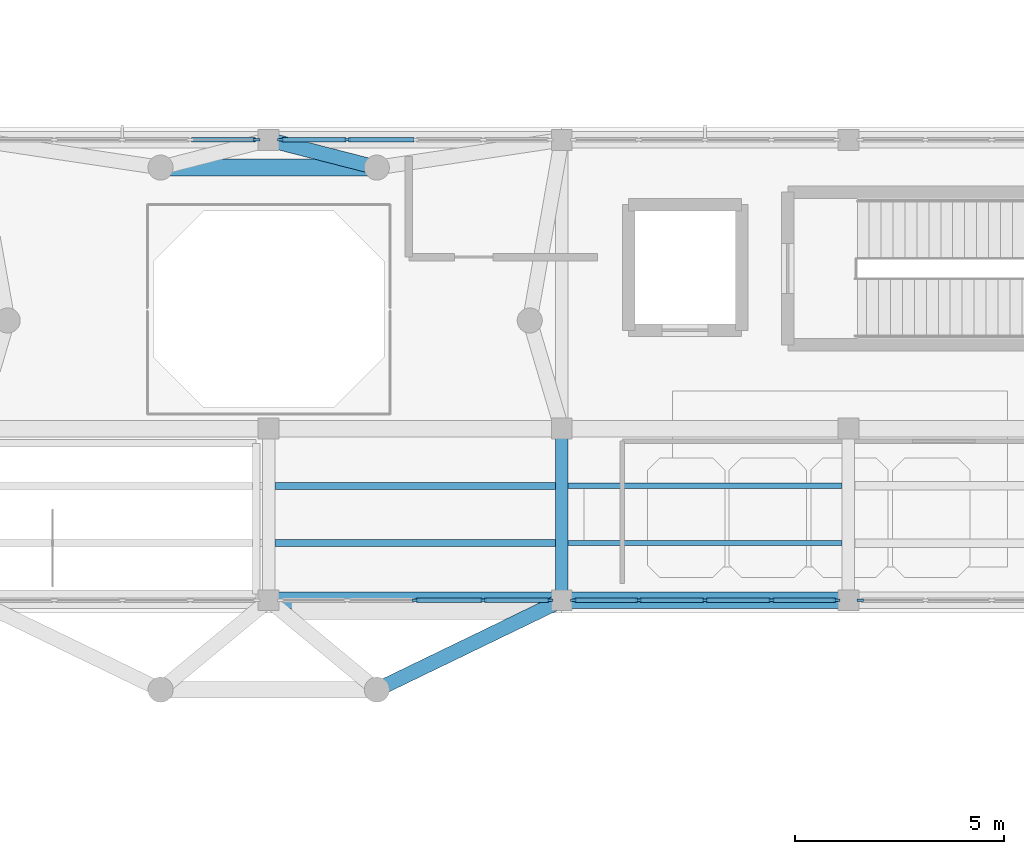
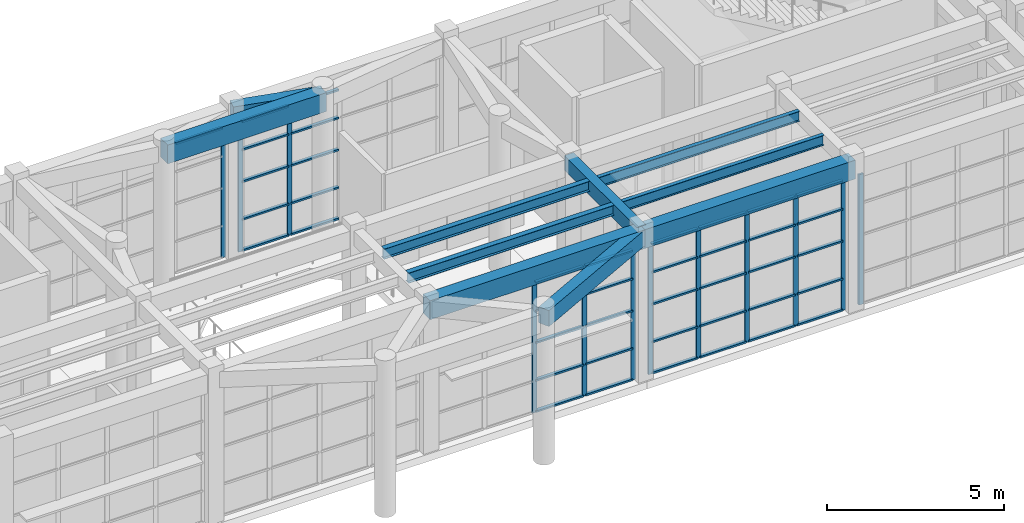
# One storey, part 18 of 103: 53 members, 10 beams, 5 elements without a shape of their own.
"""IFC4 building model written with IfcOpenShell, lengths in metres."""

from ifc_helpers import new_model, si_unit, direction, frame, origin, origin_2d, place, context, subcontext, project, spatial, rectangle, i_section, extrude, material, layer, layer_set, material_profile, profile_set, type_object, element, aggregate, save


model = new_model("IFC4")

# Units and contexts
model_context = context("Model", 3, precision=1e-05, world=origin(), true_north=direction((0.0, 1.0)))
body_context = subcontext(model_context, "Body", "Model", "MODEL_VIEW")
ifc_project = project(units=[si_unit("LENGTHUNIT", "METRE"), si_unit("AREAUNIT", "SQUARE_METRE"), si_unit("VOLUMEUNIT", "CUBIC_METRE"), si_unit("PLANEANGLEUNIT", "RADIAN"), si_unit("MASSUNIT", "GRAM", prefix="KILO")], contexts=[model_context])

# Site, building, storey
site_placement = place(None, origin())
site = spatial("IfcSite", under=ifc_project, at=site_placement, CompositionType="ELEMENT")
building_placement = place(site_placement, origin())
building = spatial("IfcBuilding", under=site, at=building_placement, Name="Candilejo Ridge Gondola Terminal", CompositionType="ELEMENT")
storey_placement = place(building_placement, frame((0.0, 0.0, 9.0)))
storey = spatial("IfcBuildingStorey", under=building, at=storey_placement, Name="L02", CompositionType="ELEMENT", Elevation=9.0)

# Curtain wall, member
ifc_material_1 = material(Name="Anodised aluminium AA 6063-T6", Category="aluminium")
ifc_layer_1 = layer(ifc_material_1, 0.169921875)
ifc_layer_set_1 = layer_set([ifc_layer_1], Name="ARC-CW-DRUM-3400-650X449")
curtain_wall_type_1 = type_object("IfcCurtainWallType", Name="ARC-CW-DRUM-3400-650X449", PredefinedType="NOTDEFINED", material=ifc_layer_set_1)
curtain_wall_1_placement = place(storey_placement, origin())
curtain_wall_1 = element("IfcCurtainWall", 1, at=curtain_wall_1_placement, inside=storey, type_object=curtain_wall_type_1, Name="Curtain wall V2 L02-050", PredefinedType="NOTDEFINED")
ifc_material_2 = material(Name="Anodised aluminium AA 6063-T6", Category="aluminium")
ifc_material_profile_1 = material_profile(ifc_material_2, rectangle(XDim=0.06494140625, YDim=0.14990234375, at=origin_2d()))
ifc_profile_set_1 = profile_set([ifc_material_profile_1], Name="Anodised aluminium AA 6063-T6")
member_type_1 = type_object("IfcMemberType", Name="ARC-CW-MULLION-150", PredefinedType="MULLION", material=ifc_profile_set_1)
member_1_placement = place(storey_placement, frame((65.0673828125, 36.699951171875, 0.0), z_axis=(0.0, 0.0, 1.0), x_axis=(0.0, 1.0, 0.0)))
member_1 = element("IfcMember", 2, at=member_1_placement, type_object=member_type_1, Name="CW-65X44 mullion 5", PredefinedType="MULLION", context=body_context, shape_type="SweptSolid", body=[
    extrude(rectangle(XDim=0.06494140625, YDim=0.14990234375, at=origin_2d()), origin(), (0.0, 0.0, 1.0), 4.489990234375),
])

# Curtain wall, members
curtain_wall_2_placement = place(storey_placement, origin())
curtain_wall_2 = element("IfcCurtainWall", 3, at=curtain_wall_2_placement, inside=storey, type_object=curtain_wall_type_1, Name="Curtain wall V2 L02-052", PredefinedType="NOTDEFINED")
member_2_placement = place(storey_placement, frame((65.632568359375, 36.699951171875, 0.0), z_axis=(0.0, 0.0, 1.0), x_axis=(0.0, 1.0, 0.0)))
member_2 = element("IfcMember", 4, at=member_2_placement, type_object=member_type_1, Name="CW-65X44 mullion 1", PredefinedType="MULLION", context=body_context, shape_type="SweptSolid", body=[
    extrude(rectangle(XDim=0.06494140625, YDim=0.14990234375, at=origin_2d()), origin(), (0.0, 0.0, 1.0), 4.489990234375),
])
member_3_placement = place(storey_placement, frame((67.22509765625, 36.699951171875, 0.0), z_axis=(0.0, 0.0, 1.0), x_axis=(0.0, 1.0, 0.0)))
member_3 = element("IfcMember", 5, at=member_3_placement, type_object=member_type_1, Name="CW-65X44 mullion 2", PredefinedType="MULLION", context=body_context, shape_type="SweptSolid", body=[
    extrude(rectangle(XDim=0.06494140625, YDim=0.14990234375, at=origin_2d()), origin(), (0.0, 0.0, 1.0), 4.489990234375),
])

curtain_wall_3_placement = place(storey_placement, origin())
curtain_wall_3 = element("IfcCurtainWall", 6, at=curtain_wall_3_placement, inside=storey, type_object=curtain_wall_type_1, Name="Curtain wall V2 L02-053", PredefinedType="NOTDEFINED")
member_4_placement = place(storey_placement, frame((68.85009765625, 25.699951171875, 0.0), z_axis=(0.0, 0.0, 1.0), x_axis=(0.0, 1.0, 0.0)))
member_4 = element("IfcMember", 7, at=member_4_placement, type_object=member_type_1, Name="CW-65X44 mullion 3", PredefinedType="MULLION", context=body_context, shape_type="SweptSolid", body=[
    extrude(rectangle(XDim=0.06494140625, YDim=0.14990234375, at=origin_2d()), origin(), (0.0, 0.0, 1.0), 4.489990234375),
])
member_5_placement = place(storey_placement, frame((70.47509765625, 25.699951171875, 0.0), z_axis=(0.0, 0.0, 1.0), x_axis=(0.0, 1.0, 0.0)))
member_5 = element("IfcMember", 8, at=member_5_placement, type_object=member_type_1, Name="CW-65X44 mullion 4", PredefinedType="MULLION", context=body_context, shape_type="SweptSolid", body=[
    extrude(rectangle(XDim=0.06494140625, YDim=0.14990234375, at=origin_2d()), origin(), (0.0, 0.0, 1.0), 4.489990234375),
])
member_6_placement = place(storey_placement, frame((72.0673828125, 25.699951171875, 0.0), z_axis=(0.0, 0.0, 1.0), x_axis=(0.0, 1.0, 0.0)))
member_6 = element("IfcMember", 9, at=member_6_placement, type_object=member_type_1, Name="CW-65X44 mullion 5", PredefinedType="MULLION", context=body_context, shape_type="SweptSolid", body=[
    extrude(rectangle(XDim=0.06494140625, YDim=0.14990234375, at=origin_2d()), origin(), (0.0, 0.0, 1.0), 4.489990234375),
])

ifc_material_3 = material(Name="Anodised aluminium AA 6063-T6", Category="aluminium")
ifc_layer_2 = layer(ifc_material_3, 0.169921875)
ifc_layer_set_2 = layer_set([ifc_layer_2], Name="ARC-CW-DRUM-3400-635X449")
curtain_wall_type_2 = type_object("IfcCurtainWallType", Name="ARC-CW-DRUM-3400-635X449", PredefinedType="NOTDEFINED", material=ifc_layer_set_2)
curtain_wall_4_placement = place(storey_placement, origin())
curtain_wall_4 = element("IfcCurtainWall", 10, at=curtain_wall_4_placement, inside=storey, type_object=curtain_wall_type_2, Name="Curtain wall V2 L02-055", PredefinedType="NOTDEFINED")
member_7_placement = place(storey_placement, frame((72.632568359375, 25.699951171875, 0.0), z_axis=(0.0, 0.0, 1.0), x_axis=(0.0, 1.0, 0.0)))
member_7 = element("IfcMember", 11, at=member_7_placement, type_object=member_type_1, Name="CW-63X44 mullion 1", PredefinedType="MULLION", context=body_context, shape_type="SweptSolid", body=[
    extrude(rectangle(XDim=0.06494140625, YDim=0.14990234375, at=origin_2d()), origin(), (0.0, 0.0, 1.0), 4.489990234375),
])
member_8_placement = place(storey_placement, frame((74.1875, 25.699951171875, 0.0), z_axis=(0.0, 0.0, 1.0), x_axis=(0.0, 1.0, 0.0)))
member_8 = element("IfcMember", 12, at=member_8_placement, type_object=member_type_1, Name="CW-63X44 mullion 2", PredefinedType="MULLION", context=body_context, shape_type="SweptSolid", body=[
    extrude(rectangle(XDim=0.06494140625, YDim=0.14990234375, at=origin_2d()), origin(), (0.0, 0.0, 1.0), 4.489990234375),
])
member_9_placement = place(storey_placement, frame((75.77490234375, 25.699951171875, 0.0), z_axis=(0.0, 0.0, 1.0), x_axis=(0.0, 1.0, 0.0)))
member_9 = element("IfcMember", 13, at=member_9_placement, type_object=member_type_1, Name="CW-63X44 mullion 3", PredefinedType="MULLION", context=body_context, shape_type="SweptSolid", body=[
    extrude(rectangle(XDim=0.06494140625, YDim=0.14990234375, at=origin_2d()), origin(), (0.0, 0.0, 1.0), 4.489990234375),
])
member_10_placement = place(storey_placement, frame((77.362548828125, 25.699951171875, 0.0), z_axis=(0.0, 0.0, 1.0), x_axis=(0.0, 1.0, 0.0)))
member_10 = element("IfcMember", 14, at=member_10_placement, type_object=member_type_1, Name="CW-63X44 mullion 4", PredefinedType="MULLION", context=body_context, shape_type="SweptSolid", body=[
    extrude(rectangle(XDim=0.06494140625, YDim=0.14990234375, at=origin_2d()), origin(), (0.0, 0.0, 1.0), 4.489990234375),
])
member_11_placement = place(storey_placement, frame((78.91748046875, 25.699951171875, 0.0), z_axis=(0.0, 0.0, 1.0), x_axis=(0.0, 1.0, 0.0)))
member_11 = element("IfcMember", 15, at=member_11_placement, type_object=member_type_1, Name="CW-63X44 mullion 5", PredefinedType="MULLION", context=body_context, shape_type="SweptSolid", body=[
    extrude(rectangle(XDim=0.06494140625, YDim=0.14990234375, at=origin_2d()), origin(), (0.0, 0.0, 1.0), 4.489990234375),
])

# Curtain wall, member
curtain_wall_5_placement = place(storey_placement, origin())
curtain_wall_5 = element("IfcCurtainWall", 16, at=curtain_wall_5_placement, inside=storey, type_object=curtain_wall_type_2, Name="Curtain wall V2 L02-057", PredefinedType="NOTDEFINED")
member_12_placement = place(storey_placement, frame((79.482421875, 25.699951171875, 0.0), z_axis=(0.0, 0.0, 1.0), x_axis=(0.0, 1.0, 0.0)))
member_12 = element("IfcMember", 17, at=member_12_placement, type_object=member_type_1, Name="CW-63X44 mullion 1", PredefinedType="MULLION", context=body_context, shape_type="SweptSolid", body=[
    extrude(rectangle(XDim=0.06494140625, YDim=0.14990234375, at=origin_2d()), origin(), (0.0, 0.0, 1.0), 4.489990234375),
])
aggregate(curtain_wall_5, [member_12])

# Member
ifc_material_4 = material(Name="Anodised aluminium AA 6063-T6", Category="aluminium")
ifc_material_profile_2 = material_profile(ifc_material_4, rectangle(XDim=0.110107421875, YDim=0.06005859375, at=origin_2d()))
ifc_profile_set_2 = profile_set([ifc_material_profile_2], Name="Anodised aluminium AA 6063-T6")
member_type_2 = type_object("IfcMemberType", Name="ARC-CW-TRANSOM-110", PredefinedType="USERDEFINED", material=ifc_profile_set_2)
member_13_placement = place(storey_placement, frame((63.507568359375, 36.699951171875, 4.4599609375), z_axis=(1.0, 0.0, 0.0), x_axis=(0.0, 1.0, 0.0)))
member_13 = element("IfcMember", 18, at=member_13_placement, type_object=member_type_2, Name="CW-65X44 transom 4.5", ObjectType="TRANSOM", PredefinedType="USERDEFINED", context=body_context, shape_type="SweptSolid", body=[
    extrude(rectangle(XDim=0.110107421875, YDim=0.06005859375, at=origin_2d()), origin(), (0.0, 0.0, 1.0), 1.52734375),
])

aggregate(curtain_wall_1, [member_1, member_13])

member_14_placement = place(storey_placement, frame((65.6650390625, 36.699951171875, 0.030029296875), z_axis=(1.0, 0.0, 0.0), x_axis=(0.0, 1.0, 0.0)))
member_14 = element("IfcMember", 19, at=member_14_placement, type_object=member_type_2, Name="CW-65X44 transom 1.1", ObjectType="TRANSOM", PredefinedType="USERDEFINED", context=body_context, shape_type="SweptSolid", body=[
    extrude(rectangle(XDim=0.110107421875, YDim=0.06005859375, at=origin_2d()), origin(), (0.0, 0.0, 1.0), 1.52734375),
])

member_15_placement = place(storey_placement, frame((65.6650390625, 36.699951171875, 1.10009765625), z_axis=(1.0, 0.0, 0.0), x_axis=(0.0, 1.0, 0.0)))
member_15 = element("IfcMember", 20, at=member_15_placement, type_object=member_type_2, Name="CW-65X44 transom 1.2", ObjectType="TRANSOM", PredefinedType="USERDEFINED", context=body_context, shape_type="SweptSolid", body=[
    extrude(rectangle(XDim=0.110107421875, YDim=0.06005859375, at=origin_2d()), origin(), (0.0, 0.0, 1.0), 1.52734375),
])

member_16_placement = place(storey_placement, frame((65.6650390625, 36.699951171875, 2.39990234375), z_axis=(1.0, 0.0, 0.0), x_axis=(0.0, 1.0, 0.0)))
member_16 = element("IfcMember", 21, at=member_16_placement, type_object=member_type_2, Name="CW-65X44 transom 1.3", ObjectType="TRANSOM", PredefinedType="USERDEFINED", context=body_context, shape_type="SweptSolid", body=[
    extrude(rectangle(XDim=0.110107421875, YDim=0.06005859375, at=origin_2d()), origin(), (0.0, 0.0, 1.0), 1.52734375),
])

member_17_placement = place(storey_placement, frame((65.6650390625, 36.699951171875, 3.5), z_axis=(1.0, 0.0, 0.0), x_axis=(0.0, 1.0, 0.0)))
member_17 = element("IfcMember", 22, at=member_17_placement, type_object=member_type_2, Name="CW-65X44 transom 1.4", ObjectType="TRANSOM", PredefinedType="USERDEFINED", context=body_context, shape_type="SweptSolid", body=[
    extrude(rectangle(XDim=0.110107421875, YDim=0.06005859375, at=origin_2d()), origin(), (0.0, 0.0, 1.0), 1.52734375),
])

member_18_placement = place(storey_placement, frame((65.6650390625, 36.699951171875, 4.4599609375), z_axis=(1.0, 0.0, 0.0), x_axis=(0.0, 1.0, 0.0)))
member_18 = element("IfcMember", 23, at=member_18_placement, type_object=member_type_2, Name="CW-65X44 transom 1.5", ObjectType="TRANSOM", PredefinedType="USERDEFINED", context=body_context, shape_type="SweptSolid", body=[
    extrude(rectangle(XDim=0.110107421875, YDim=0.06005859375, at=origin_2d()), origin(), (0.0, 0.0, 1.0), 1.52734375),
])

member_19_placement = place(storey_placement, frame((67.257568359375, 36.699951171875, 0.030029296875), z_axis=(1.0, 0.0, 0.0), x_axis=(0.0, 1.0, 0.0)))
member_19 = element("IfcMember", 24, at=member_19_placement, type_object=member_type_2, Name="CW-65X44 transom 2.1", ObjectType="TRANSOM", PredefinedType="USERDEFINED", context=body_context, shape_type="SweptSolid", body=[
    extrude(rectangle(XDim=0.110107421875, YDim=0.06005859375, at=origin_2d()), origin(), (0.0, 0.0, 1.0), 1.559814453125),
])

member_20_placement = place(storey_placement, frame((67.257568359375, 36.699951171875, 1.10009765625), z_axis=(1.0, 0.0, 0.0), x_axis=(0.0, 1.0, 0.0)))
member_20 = element("IfcMember", 25, at=member_20_placement, type_object=member_type_2, Name="CW-65X44 transom 2.2", ObjectType="TRANSOM", PredefinedType="USERDEFINED", context=body_context, shape_type="SweptSolid", body=[
    extrude(rectangle(XDim=0.110107421875, YDim=0.06005859375, at=origin_2d()), origin(), (0.0, 0.0, 1.0), 1.559814453125),
])

member_21_placement = place(storey_placement, frame((67.257568359375, 36.699951171875, 2.39990234375), z_axis=(1.0, 0.0, 0.0), x_axis=(0.0, 1.0, 0.0)))
member_21 = element("IfcMember", 26, at=member_21_placement, type_object=member_type_2, Name="CW-65X44 transom 2.3", ObjectType="TRANSOM", PredefinedType="USERDEFINED", context=body_context, shape_type="SweptSolid", body=[
    extrude(rectangle(XDim=0.110107421875, YDim=0.06005859375, at=origin_2d()), origin(), (0.0, 0.0, 1.0), 1.559814453125),
])

member_22_placement = place(storey_placement, frame((67.257568359375, 36.699951171875, 3.5), z_axis=(1.0, 0.0, 0.0), x_axis=(0.0, 1.0, 0.0)))
member_22 = element("IfcMember", 27, at=member_22_placement, type_object=member_type_2, Name="CW-65X44 transom 2.4", ObjectType="TRANSOM", PredefinedType="USERDEFINED", context=body_context, shape_type="SweptSolid", body=[
    extrude(rectangle(XDim=0.110107421875, YDim=0.06005859375, at=origin_2d()), origin(), (0.0, 0.0, 1.0), 1.559814453125),
])

member_23_placement = place(storey_placement, frame((67.257568359375, 36.699951171875, 4.4599609375), z_axis=(1.0, 0.0, 0.0), x_axis=(0.0, 1.0, 0.0)))
member_23 = element("IfcMember", 28, at=member_23_placement, type_object=member_type_2, Name="CW-65X44 transom 2.5", ObjectType="TRANSOM", PredefinedType="USERDEFINED", context=body_context, shape_type="SweptSolid", body=[
    extrude(rectangle(XDim=0.110107421875, YDim=0.06005859375, at=origin_2d()), origin(), (0.0, 0.0, 1.0), 1.559814453125),
])

aggregate(curtain_wall_2, [member_2, member_3, member_14, member_15, member_16, member_17, member_18, member_19, member_20, member_21, member_22, member_23])

member_24_placement = place(storey_placement, frame((68.882568359375, 25.699951171875, 0.030029296875), z_axis=(1.0, 0.0, 0.0), x_axis=(0.0, 1.0, 0.0)))
member_24 = element("IfcMember", 29, at=member_24_placement, type_object=member_type_2, Name="CW-65X44 transom 3.1", ObjectType="TRANSOM", PredefinedType="USERDEFINED", context=body_context, shape_type="SweptSolid", body=[
    extrude(rectangle(XDim=0.110107421875, YDim=0.06005859375, at=origin_2d()), origin(), (0.0, 0.0, 1.0), 1.559814453125),
])

member_25_placement = place(storey_placement, frame((68.882568359375, 25.699951171875, 1.10009765625), z_axis=(1.0, 0.0, 0.0), x_axis=(0.0, 1.0, 0.0)))
member_25 = element("IfcMember", 30, at=member_25_placement, type_object=member_type_2, Name="CW-65X44 transom 3.2", ObjectType="TRANSOM", PredefinedType="USERDEFINED", context=body_context, shape_type="SweptSolid", body=[
    extrude(rectangle(XDim=0.110107421875, YDim=0.06005859375, at=origin_2d()), origin(), (0.0, 0.0, 1.0), 1.559814453125),
])

member_26_placement = place(storey_placement, frame((68.882568359375, 25.699951171875, 2.39990234375), z_axis=(1.0, 0.0, 0.0), x_axis=(0.0, 1.0, 0.0)))
member_26 = element("IfcMember", 31, at=member_26_placement, type_object=member_type_2, Name="CW-65X44 transom 3.3", ObjectType="TRANSOM", PredefinedType="USERDEFINED", context=body_context, shape_type="SweptSolid", body=[
    extrude(rectangle(XDim=0.110107421875, YDim=0.06005859375, at=origin_2d()), origin(), (0.0, 0.0, 1.0), 1.559814453125),
])

member_27_placement = place(storey_placement, frame((68.882568359375, 25.699951171875, 3.5), z_axis=(1.0, 0.0, 0.0), x_axis=(0.0, 1.0, 0.0)))
member_27 = element("IfcMember", 32, at=member_27_placement, type_object=member_type_2, Name="CW-65X44 transom 3.4", ObjectType="TRANSOM", PredefinedType="USERDEFINED", context=body_context, shape_type="SweptSolid", body=[
    extrude(rectangle(XDim=0.110107421875, YDim=0.06005859375, at=origin_2d()), origin(), (0.0, 0.0, 1.0), 1.559814453125),
])

member_28_placement = place(storey_placement, frame((68.882568359375, 25.699951171875, 4.4599609375), z_axis=(1.0, 0.0, 0.0), x_axis=(0.0, 1.0, 0.0)))
member_28 = element("IfcMember", 33, at=member_28_placement, type_object=member_type_2, Name="CW-65X44 transom 3.5", ObjectType="TRANSOM", PredefinedType="USERDEFINED", context=body_context, shape_type="SweptSolid", body=[
    extrude(rectangle(XDim=0.110107421875, YDim=0.06005859375, at=origin_2d()), origin(), (0.0, 0.0, 1.0), 1.559814453125),
])

member_29_placement = place(storey_placement, frame((70.507568359375, 25.699951171875, 0.030029296875), z_axis=(1.0, 0.0, 0.0), x_axis=(0.0, 1.0, 0.0)))
member_29 = element("IfcMember", 34, at=member_29_placement, type_object=member_type_2, Name="CW-65X44 transom 4.1", ObjectType="TRANSOM", PredefinedType="USERDEFINED", context=body_context, shape_type="SweptSolid", body=[
    extrude(rectangle(XDim=0.110107421875, YDim=0.06005859375, at=origin_2d()), origin(), (0.0, 0.0, 1.0), 1.52734375),
])

member_30_placement = place(storey_placement, frame((70.507568359375, 25.699951171875, 1.10009765625), z_axis=(1.0, 0.0, 0.0), x_axis=(0.0, 1.0, 0.0)))
member_30 = element("IfcMember", 35, at=member_30_placement, type_object=member_type_2, Name="CW-65X44 transom 4.2", ObjectType="TRANSOM", PredefinedType="USERDEFINED", context=body_context, shape_type="SweptSolid", body=[
    extrude(rectangle(XDim=0.110107421875, YDim=0.06005859375, at=origin_2d()), origin(), (0.0, 0.0, 1.0), 1.52734375),
])

member_31_placement = place(storey_placement, frame((70.507568359375, 25.699951171875, 2.39990234375), z_axis=(1.0, 0.0, 0.0), x_axis=(0.0, 1.0, 0.0)))
member_31 = element("IfcMember", 36, at=member_31_placement, type_object=member_type_2, Name="CW-65X44 transom 4.3", ObjectType="TRANSOM", PredefinedType="USERDEFINED", context=body_context, shape_type="SweptSolid", body=[
    extrude(rectangle(XDim=0.110107421875, YDim=0.06005859375, at=origin_2d()), origin(), (0.0, 0.0, 1.0), 1.52734375),
])

member_32_placement = place(storey_placement, frame((70.507568359375, 25.699951171875, 3.5), z_axis=(1.0, 0.0, 0.0), x_axis=(0.0, 1.0, 0.0)))
member_32 = element("IfcMember", 37, at=member_32_placement, type_object=member_type_2, Name="CW-65X44 transom 4.4", ObjectType="TRANSOM", PredefinedType="USERDEFINED", context=body_context, shape_type="SweptSolid", body=[
    extrude(rectangle(XDim=0.110107421875, YDim=0.06005859375, at=origin_2d()), origin(), (0.0, 0.0, 1.0), 1.52734375),
])

member_33_placement = place(storey_placement, frame((70.507568359375, 25.699951171875, 4.4599609375), z_axis=(1.0, 0.0, 0.0), x_axis=(0.0, 1.0, 0.0)))
member_33 = element("IfcMember", 38, at=member_33_placement, type_object=member_type_2, Name="CW-65X44 transom 4.5", ObjectType="TRANSOM", PredefinedType="USERDEFINED", context=body_context, shape_type="SweptSolid", body=[
    extrude(rectangle(XDim=0.110107421875, YDim=0.06005859375, at=origin_2d()), origin(), (0.0, 0.0, 1.0), 1.52734375),
])

aggregate(curtain_wall_3, [member_4, member_5, member_6, member_24, member_25, member_26, member_27, member_28, member_29, member_30, member_31, member_32, member_33])

member_34_placement = place(storey_placement, frame((72.6650390625, 25.699951171875, 0.030029296875), z_axis=(1.0, 0.0, 0.0), x_axis=(0.0, 1.0, 0.0)))
member_34 = element("IfcMember", 39, at=member_34_placement, type_object=member_type_2, Name="CW-63X44 transom 1.1", ObjectType="TRANSOM", PredefinedType="USERDEFINED", context=body_context, shape_type="SweptSolid", body=[
    extrude(rectangle(XDim=0.110107421875, YDim=0.06005859375, at=origin_2d()), origin(), (0.0, 0.0, 1.0), 1.489990234375),
])

member_35_placement = place(storey_placement, frame((72.6650390625, 25.699951171875, 1.10009765625), z_axis=(1.0, 0.0, 0.0), x_axis=(0.0, 1.0, 0.0)))
member_35 = element("IfcMember", 40, at=member_35_placement, type_object=member_type_2, Name="CW-63X44 transom 1.2", ObjectType="TRANSOM", PredefinedType="USERDEFINED", context=body_context, shape_type="SweptSolid", body=[
    extrude(rectangle(XDim=0.110107421875, YDim=0.06005859375, at=origin_2d()), origin(), (0.0, 0.0, 1.0), 1.489990234375),
])

member_36_placement = place(storey_placement, frame((72.6650390625, 25.699951171875, 2.39990234375), z_axis=(1.0, 0.0, 0.0), x_axis=(0.0, 1.0, 0.0)))
member_36 = element("IfcMember", 41, at=member_36_placement, type_object=member_type_2, Name="CW-63X44 transom 1.3", ObjectType="TRANSOM", PredefinedType="USERDEFINED", context=body_context, shape_type="SweptSolid", body=[
    extrude(rectangle(XDim=0.110107421875, YDim=0.06005859375, at=origin_2d()), origin(), (0.0, 0.0, 1.0), 1.489990234375),
])

member_37_placement = place(storey_placement, frame((72.6650390625, 25.699951171875, 3.5), z_axis=(1.0, 0.0, 0.0), x_axis=(0.0, 1.0, 0.0)))
member_37 = element("IfcMember", 42, at=member_37_placement, type_object=member_type_2, Name="CW-63X44 transom 1.4", ObjectType="TRANSOM", PredefinedType="USERDEFINED", context=body_context, shape_type="SweptSolid", body=[
    extrude(rectangle(XDim=0.110107421875, YDim=0.06005859375, at=origin_2d()), origin(), (0.0, 0.0, 1.0), 1.489990234375),
])

member_38_placement = place(storey_placement, frame((72.6650390625, 25.699951171875, 4.4599609375), z_axis=(1.0, 0.0, 0.0), x_axis=(0.0, 1.0, 0.0)))
member_38 = element("IfcMember", 43, at=member_38_placement, type_object=member_type_2, Name="CW-63X44 transom 1.5", ObjectType="TRANSOM", PredefinedType="USERDEFINED", context=body_context, shape_type="SweptSolid", body=[
    extrude(rectangle(XDim=0.110107421875, YDim=0.06005859375, at=origin_2d()), origin(), (0.0, 0.0, 1.0), 1.489990234375),
])

member_39_placement = place(storey_placement, frame((74.219970703125, 25.699951171875, 0.030029296875), z_axis=(1.0, 0.0, 0.0), x_axis=(0.0, 1.0, 0.0)))
member_39 = element("IfcMember", 44, at=member_39_placement, type_object=member_type_2, Name="CW-63X44 transom 2.1", ObjectType="TRANSOM", PredefinedType="USERDEFINED", context=body_context, shape_type="SweptSolid", body=[
    extrude(rectangle(XDim=0.110107421875, YDim=0.06005859375, at=origin_2d()), origin(), (0.0, 0.0, 1.0), 1.5224609375),
])

member_40_placement = place(storey_placement, frame((74.219970703125, 25.699951171875, 1.10009765625), z_axis=(1.0, 0.0, 0.0), x_axis=(0.0, 1.0, 0.0)))
member_40 = element("IfcMember", 45, at=member_40_placement, type_object=member_type_2, Name="CW-63X44 transom 2.2", ObjectType="TRANSOM", PredefinedType="USERDEFINED", context=body_context, shape_type="SweptSolid", body=[
    extrude(rectangle(XDim=0.110107421875, YDim=0.06005859375, at=origin_2d()), origin(), (0.0, 0.0, 1.0), 1.5224609375),
])

member_41_placement = place(storey_placement, frame((74.219970703125, 25.699951171875, 2.39990234375), z_axis=(1.0, 0.0, 0.0), x_axis=(0.0, 1.0, 0.0)))
member_41 = element("IfcMember", 46, at=member_41_placement, type_object=member_type_2, Name="CW-63X44 transom 2.3", ObjectType="TRANSOM", PredefinedType="USERDEFINED", context=body_context, shape_type="SweptSolid", body=[
    extrude(rectangle(XDim=0.110107421875, YDim=0.06005859375, at=origin_2d()), origin(), (0.0, 0.0, 1.0), 1.5224609375),
])

member_42_placement = place(storey_placement, frame((74.219970703125, 25.699951171875, 3.5), z_axis=(1.0, 0.0, 0.0), x_axis=(0.0, 1.0, 0.0)))
member_42 = element("IfcMember", 47, at=member_42_placement, type_object=member_type_2, Name="CW-63X44 transom 2.4", ObjectType="TRANSOM", PredefinedType="USERDEFINED", context=body_context, shape_type="SweptSolid", body=[
    extrude(rectangle(XDim=0.110107421875, YDim=0.06005859375, at=origin_2d()), origin(), (0.0, 0.0, 1.0), 1.5224609375),
])

member_43_placement = place(storey_placement, frame((74.219970703125, 25.699951171875, 4.4599609375), z_axis=(1.0, 0.0, 0.0), x_axis=(0.0, 1.0, 0.0)))
member_43 = element("IfcMember", 48, at=member_43_placement, type_object=member_type_2, Name="CW-63X44 transom 2.5", ObjectType="TRANSOM", PredefinedType="USERDEFINED", context=body_context, shape_type="SweptSolid", body=[
    extrude(rectangle(XDim=0.110107421875, YDim=0.06005859375, at=origin_2d()), origin(), (0.0, 0.0, 1.0), 1.5224609375),
])

member_44_placement = place(storey_placement, frame((75.8076171875, 25.699951171875, 0.030029296875), z_axis=(1.0, 0.0, 0.0), x_axis=(0.0, 1.0, 0.0)))
member_44 = element("IfcMember", 49, at=member_44_placement, type_object=member_type_2, Name="CW-63X44 transom 3.1", ObjectType="TRANSOM", PredefinedType="USERDEFINED", context=body_context, shape_type="SweptSolid", body=[
    extrude(rectangle(XDim=0.110107421875, YDim=0.06005859375, at=origin_2d()), origin(), (0.0, 0.0, 1.0), 1.5224609375),
])

member_45_placement = place(storey_placement, frame((75.8076171875, 25.699951171875, 1.10009765625), z_axis=(1.0, 0.0, 0.0), x_axis=(0.0, 1.0, 0.0)))
member_45 = element("IfcMember", 50, at=member_45_placement, type_object=member_type_2, Name="CW-63X44 transom 3.2", ObjectType="TRANSOM", PredefinedType="USERDEFINED", context=body_context, shape_type="SweptSolid", body=[
    extrude(rectangle(XDim=0.110107421875, YDim=0.06005859375, at=origin_2d()), origin(), (0.0, 0.0, 1.0), 1.5224609375),
])

member_46_placement = place(storey_placement, frame((75.8076171875, 25.699951171875, 2.39990234375), z_axis=(1.0, 0.0, 0.0), x_axis=(0.0, 1.0, 0.0)))
member_46 = element("IfcMember", 51, at=member_46_placement, type_object=member_type_2, Name="CW-63X44 transom 3.3", ObjectType="TRANSOM", PredefinedType="USERDEFINED", context=body_context, shape_type="SweptSolid", body=[
    extrude(rectangle(XDim=0.110107421875, YDim=0.06005859375, at=origin_2d()), origin(), (0.0, 0.0, 1.0), 1.5224609375),
])

member_47_placement = place(storey_placement, frame((75.8076171875, 25.699951171875, 3.5), z_axis=(1.0, 0.0, 0.0), x_axis=(0.0, 1.0, 0.0)))
member_47 = element("IfcMember", 52, at=member_47_placement, type_object=member_type_2, Name="CW-63X44 transom 3.4", ObjectType="TRANSOM", PredefinedType="USERDEFINED", context=body_context, shape_type="SweptSolid", body=[
    extrude(rectangle(XDim=0.110107421875, YDim=0.06005859375, at=origin_2d()), origin(), (0.0, 0.0, 1.0), 1.5224609375),
])

member_48_placement = place(storey_placement, frame((75.8076171875, 25.699951171875, 4.4599609375), z_axis=(1.0, 0.0, 0.0), x_axis=(0.0, 1.0, 0.0)))
member_48 = element("IfcMember", 53, at=member_48_placement, type_object=member_type_2, Name="CW-63X44 transom 3.5", ObjectType="TRANSOM", PredefinedType="USERDEFINED", context=body_context, shape_type="SweptSolid", body=[
    extrude(rectangle(XDim=0.110107421875, YDim=0.06005859375, at=origin_2d()), origin(), (0.0, 0.0, 1.0), 1.5224609375),
])

member_49_placement = place(storey_placement, frame((77.39501953125, 25.699951171875, 0.030029296875), z_axis=(1.0, 0.0, 0.0), x_axis=(0.0, 1.0, 0.0)))
member_49 = element("IfcMember", 54, at=member_49_placement, type_object=member_type_2, Name="CW-63X44 transom 4.1", ObjectType="TRANSOM", PredefinedType="USERDEFINED", context=body_context, shape_type="SweptSolid", body=[
    extrude(rectangle(XDim=0.110107421875, YDim=0.06005859375, at=origin_2d()), origin(), (0.0, 0.0, 1.0), 1.489990234375),
])

member_50_placement = place(storey_placement, frame((77.39501953125, 25.699951171875, 1.10009765625), z_axis=(1.0, 0.0, 0.0), x_axis=(0.0, 1.0, 0.0)))
member_50 = element("IfcMember", 55, at=member_50_placement, type_object=member_type_2, Name="CW-63X44 transom 4.2", ObjectType="TRANSOM", PredefinedType="USERDEFINED", context=body_context, shape_type="SweptSolid", body=[
    extrude(rectangle(XDim=0.110107421875, YDim=0.06005859375, at=origin_2d()), origin(), (0.0, 0.0, 1.0), 1.489990234375),
])

member_51_placement = place(storey_placement, frame((77.39501953125, 25.699951171875, 2.39990234375), z_axis=(1.0, 0.0, 0.0), x_axis=(0.0, 1.0, 0.0)))
member_51 = element("IfcMember", 56, at=member_51_placement, type_object=member_type_2, Name="CW-63X44 transom 4.3", ObjectType="TRANSOM", PredefinedType="USERDEFINED", context=body_context, shape_type="SweptSolid", body=[
    extrude(rectangle(XDim=0.110107421875, YDim=0.06005859375, at=origin_2d()), origin(), (0.0, 0.0, 1.0), 1.489990234375),
])

member_52_placement = place(storey_placement, frame((77.39501953125, 25.699951171875, 3.5), z_axis=(1.0, 0.0, 0.0), x_axis=(0.0, 1.0, 0.0)))
member_52 = element("IfcMember", 57, at=member_52_placement, type_object=member_type_2, Name="CW-63X44 transom 4.4", ObjectType="TRANSOM", PredefinedType="USERDEFINED", context=body_context, shape_type="SweptSolid", body=[
    extrude(rectangle(XDim=0.110107421875, YDim=0.06005859375, at=origin_2d()), origin(), (0.0, 0.0, 1.0), 1.489990234375),
])

member_53_placement = place(storey_placement, frame((77.39501953125, 25.699951171875, 4.4599609375), z_axis=(1.0, 0.0, 0.0), x_axis=(0.0, 1.0, 0.0)))
member_53 = element("IfcMember", 58, at=member_53_placement, type_object=member_type_2, Name="CW-63X44 transom 4.5", ObjectType="TRANSOM", PredefinedType="USERDEFINED", context=body_context, shape_type="SweptSolid", body=[
    extrude(rectangle(XDim=0.110107421875, YDim=0.06005859375, at=origin_2d()), origin(), (0.0, 0.0, 1.0), 1.489990234375),
])

aggregate(curtain_wall_4, [member_7, member_8, member_9, member_10, member_11, member_34, member_35, member_36, member_37, member_38, member_39, member_40, member_41, member_42, member_43, member_44, member_45, member_46, member_47, member_48, member_49, member_50, member_51, member_52, member_53])

# Beams
ifc_material_5 = material(Name="Concrete f'c 35 MPa (C35/45)", Category="concrete")
ifc_material_profile_3 = material_profile(ifc_material_5, rectangle(XDim=0.300048828125, YDim=0.5, at=origin_2d()))
ifc_profile_set_3 = profile_set([ifc_material_profile_3], Name="Concrete f'c 35 MPa (C35/45)")
beam_type_1 = type_object("IfcBeamType", Name="STR-BM-RC300X500", PredefinedType="BEAM", material=ifc_profile_set_3)
beam_1_placement = place(storey_placement, frame((72.35009765625, 25.699951171875, 4.925048828125), z_axis=(0.0, 1.0, 0.0), x_axis=(-1.0, 0.0, 0.0)))
element("IfcBeam", 59, at=beam_1_placement, inside=storey, type_object=beam_type_1, Name="Beam Y V2 L02 Y05-Y06@X11", PredefinedType="BEAM", context=body_context, shape_type="SweptSolid", body=[
    extrude(rectangle(XDim=0.300048828125, YDim=0.5, at=origin_2d()), origin(), (0.0, 0.0, 1.0), 4.10009765625),
])
ifc_material_6 = material(Name="Concrete f'c 35 MPa (C35/45)", Category="concrete")
ifc_material_profile_4 = material_profile(ifc_material_6, rectangle(XDim=0.35009765625, YDim=0.550048828125, at=origin_2d()))
ifc_profile_set_4 = profile_set([ifc_material_profile_4], Name="Concrete f'c 35 MPa (C35/45)")
beam_type_2 = type_object("IfcBeamType", Name="STR-BM-RC350X550", PredefinedType="BEAM", material=ifc_profile_set_4)
beam_2_placement = place(storey_placement, frame((67.93310546875, 36.0361328125, 4.89990234375), z_axis=(-0.968527619913, 0.248906105722, 0.0), x_axis=(-0.248906105722, -0.968527619913, 0.0)))
element("IfcBeam", 60, at=beam_2_placement, inside=storey, type_object=beam_type_2, Name="Rotunda radial tie beam L02 ROT2", PredefinedType="BEAM", context=body_context, shape_type="SweptSolid", body=[
    extrude(rectangle(XDim=0.35009765625, YDim=0.550048828125, at=origin_2d()), origin(), (0.0, 0.0, 1.0), 2.6669921875),
])
beam_3_placement = place(storey_placement, frame((67.93310546875, 23.563720703125, 4.89990234375), z_axis=(0.900241048505, 0.435391840284, 0.0), x_axis=(-0.435391840284, 0.900241048505, 0.0)))
element("IfcBeam", 61, at=beam_3_placement, inside=storey, type_object=beam_type_2, Name="Rotunda radial tie beam L02 ROT7", PredefinedType="BEAM", context=body_context, shape_type="SweptSolid", body=[
    extrude(rectangle(XDim=0.35009765625, YDim=0.550048828125, at=origin_2d()), origin(), (0.0, 0.0, 1.0), 4.906494140625),
])
ifc_material_7 = material(Name="Steel ASTM A992 Grade 50", Category="steel")
ifc_material_profile_5 = material_profile(ifc_material_7, i_section(OverallWidth=0.1279296875, OverallDepth=0.35302734375, WebThickness=0.006591796875, FlangeThickness=0.0107421875, at=origin_2d()))
ifc_profile_set_5 = profile_set([ifc_material_profile_5], Name="Steel ASTM A992 Grade 50")
beam_type_3 = type_object("IfcBeamType", Name="STR-JST-W360X39", PredefinedType="JOIST", material=ifc_profile_set_5)
for number, where, z_axis, x_axis, name in (
    (62, (72.5, 27.066650390625, 4.99853515625), (1.0, 0.0, 0.0), (0.0, 1.0, 0.0), "Composite joist V2 L02-0314"),
    (63, (72.5, 28.433349609375, 4.99853515625), (1.0, 0.0, 0.0), (0.0, 1.0, 0.0), "Composite joist V2 L02-0315"),
):
    element("IfcBeam", number, at=place(storey_placement, frame(where, z_axis=z_axis, x_axis=x_axis)), inside=storey, type_object=beam_type_3, Name=name, PredefinedType="JOIST", context=body_context, shape_type="SweptSolid", body=[
        extrude(i_section(OverallWidth=0.1279296875, OverallDepth=0.35302734375, WebThickness=0.006591796875, FlangeThickness=0.0107421875, at=origin_2d()), origin(), (0.0, 0.0, 1.0), 6.550048828125),
    ])
ifc_material_8 = material(Name="Steel ASTM A992 Grade 50", Category="steel")
ifc_material_profile_6 = material_profile(ifc_material_8, i_section(OverallWidth=0.1708984375, OverallDepth=0.35205078125, WebThickness=0.0068359375, FlangeThickness=0.009765625, at=origin_2d()))
ifc_profile_set_6 = profile_set([ifc_material_profile_6], Name="Steel ASTM A992 Grade 50")
beam_type_4 = type_object("IfcBeamType", Name="STR-JST-W360X44", PredefinedType="JOIST", material=ifc_profile_set_6)
for number, where, z_axis, x_axis, name in (
    (64, (65.5, 27.066650390625, 4.9990234375), (1.0, 0.0, 0.0), (0.0, 1.0, 0.0), "Composite joist V2 L02-0312"),
    (65, (65.5, 28.433349609375, 4.9990234375), (1.0, 0.0, 0.0), (0.0, 1.0, 0.0), "Composite joist V2 L02-0313"),
):
    element("IfcBeam", number, at=place(storey_placement, frame(where, z_axis=z_axis, x_axis=x_axis)), inside=storey, type_object=beam_type_4, Name=name, PredefinedType="JOIST", context=body_context, shape_type="SweptSolid", body=[
        extrude(i_section(OverallWidth=0.1708984375, OverallDepth=0.35205078125, WebThickness=0.0068359375, FlangeThickness=0.009765625, at=origin_2d()), origin(), (0.0, 0.0, 1.0), 6.699951171875),
    ])
ifc_material_9 = material(Name="Concrete f'c 35 MPa (C35/45)", Category="concrete")
ifc_material_profile_7 = material_profile(ifc_material_9, rectangle(XDim=0.39990234375, YDim=0.64990234375, at=origin_2d()))
ifc_profile_set_7 = profile_set([ifc_material_profile_7], Name="Concrete f'c 35 MPa (C35/45)")
beam_type_5 = type_object("IfcBeamType", Name="STR-SPN-RC400X650", PredefinedType="SPANDREL", material=ifc_profile_set_7)
beam_4_placement = place(storey_placement, frame((65.35009765625, 25.699951171875, 4.85009765625), z_axis=(1.0, 0.0, 0.0), x_axis=(0.0, 1.0, 0.0)))
element("IfcBeam", 66, at=beam_4_placement, inside=storey, type_object=beam_type_5, Name="Beam X V2 L02 X10-X11@Y05", PredefinedType="SPANDREL", context=body_context, shape_type="SweptSolid", body=[
    extrude(rectangle(XDim=0.39990234375, YDim=0.64990234375, at=origin_2d()), origin(), (0.0, 0.0, 1.0), 7.0),
])
beam_5_placement = place(storey_placement, frame((72.35009765625, 25.699951171875, 4.85009765625), z_axis=(1.0, 0.0, 0.0), x_axis=(0.0, 1.0, 0.0)))
element("IfcBeam", 67, at=beam_5_placement, inside=storey, type_object=beam_type_5, Name="Beam X V2 L02 X11-X12@Y05", PredefinedType="SPANDREL", context=body_context, shape_type="SweptSolid", body=[
    extrude(rectangle(XDim=0.39990234375, YDim=0.64990234375, at=origin_2d()), origin(), (0.0, 0.0, 1.0), 6.849853515625),
])
beam_6_placement = place(storey_placement, frame((67.93310546875, 36.0361328125, 4.85009765625), z_axis=(-1.0, 0.0, 0.0), x_axis=(0.0, -1.0, 0.0)))
element("IfcBeam", 68, at=beam_6_placement, inside=storey, type_object=beam_type_5, Name="Rotunda ring beam L02 ROT2-ROT3", PredefinedType="SPANDREL", context=body_context, shape_type="SweptSolid", body=[
    extrude(rectangle(XDim=0.39990234375, YDim=0.64990234375, at=origin_2d()), origin(), (0.0, 0.0, 1.0), 5.166259765625),
])

save(model, "model.ifc")
